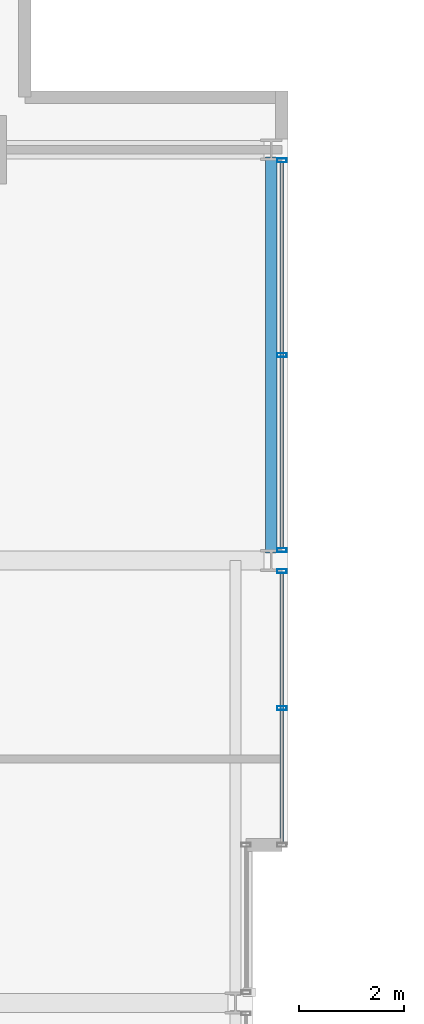
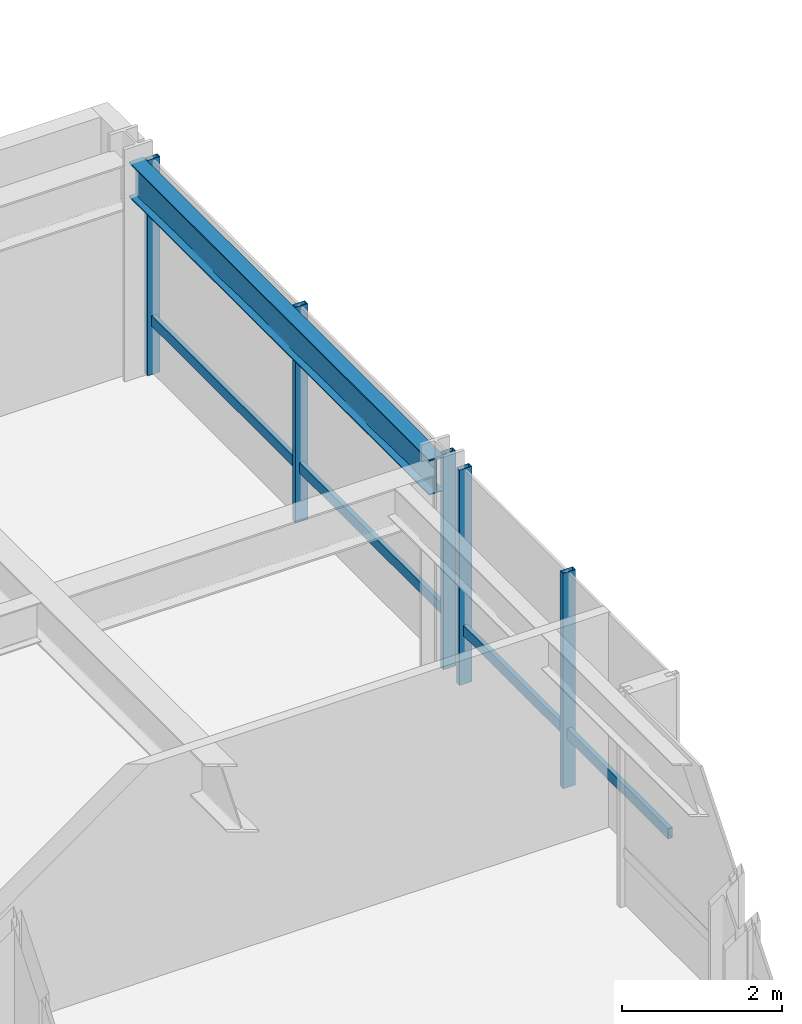
# One storey, part 24 of 33: 7 members, 1 beam, 2 elements without a shape of their own.
"""IFC4 building model written with IfcOpenShell, lengths in metres."""

from ifc_helpers import new_model, si_unit, direction, frame, origin, origin_2d, place, context, subcontext, project, spatial, hollow_rectangle, i_section, extrude, material, layer, layer_set, material_profile, profile_set, type_object, element, aggregate, save


model = new_model("IFC4")

# Units and contexts
model_context = context("Model", 3, precision=1e-05, world=origin(), true_north=direction((0.0, 1.0)))
body_context = subcontext(model_context, "Body", "Model", "MODEL_VIEW")
ifc_project = project(units=[si_unit("LENGTHUNIT", "METRE"), si_unit("AREAUNIT", "SQUARE_METRE"), si_unit("VOLUMEUNIT", "CUBIC_METRE"), si_unit("PLANEANGLEUNIT", "RADIAN"), si_unit("MASSUNIT", "GRAM", prefix="KILO")], contexts=[model_context])

# Site, building, storey
site_placement = place(None, origin())
site = spatial("IfcSite", under=ifc_project, at=site_placement, CompositionType="ELEMENT")
building_placement = place(site_placement, origin())
building = spatial("IfcBuilding", under=site, at=building_placement, Name="Drelvath Grand Hotel", CompositionType="ELEMENT")
storey_placement = place(building_placement, frame((0.0, 0.0, 168.14990234375)))
storey = spatial("IfcBuildingStorey", under=building, at=storey_placement, Name="L43", CompositionType="ELEMENT", Elevation=168.14990234375)

# Curtain wall, member
ifc_material_1 = material(Name="Brushed Pale-Silver Anodised Aluminium Frame", Category="aluminium")
ifc_layer = layer(ifc_material_1, 0.199951171875)
ifc_layer_set = layer_set([ifc_layer], Name="Brushed Pale-Silver Anodised Aluminium Frame")
curtain_wall_type = type_object("IfcCurtainWallType", Name="Stick Curtain Wall CW-04 Brushed Silver Upper-Mid", PredefinedType="NOTDEFINED", material=ifc_layer_set)
curtain_wall_1_placement = place(storey_placement, origin())
curtain_wall_1 = element("IfcCurtainWall", 1, at=curtain_wall_1_placement, inside=storey, type_object=curtain_wall_type, Name="L43 CW-04 Curtain Wall CW04-L43-EN1", PredefinedType="NOTDEFINED")
ifc_material_profile_1 = material_profile(ifc_material_1, hollow_rectangle(XDim=0.06494140625, YDim=0.159912109375, WallThickness=0.00390625, at=origin_2d()), Name="HSS160X65X4")
ifc_profile_set_1 = profile_set([ifc_material_profile_1], Name="Brushed Pale-Silver Anodised Aluminium Frame")
member_type_1 = type_object("IfcMemberType", Name="Curtain Wall Horizontal Transom CW-04 HSS160X65X4", PredefinedType="USERDEFINED", material=ifc_profile_set_1)
member_1_placement = place(storey_placement, frame((22.080078125, 35.159912109375, 0.822509765625), z_axis=(0.0, -1.0, 0.0), x_axis=(1.0, 0.0, 0.0)))
member_1 = element("IfcMember", 2, at=member_1_placement, type_object=member_type_1, Name="CW04-L43-EN1 Sill Transom", ObjectType="TRANSOM", PredefinedType="USERDEFINED", context=body_context, shape_type="SweptSolid", body=[
    extrude(hollow_rectangle(XDim=0.06494140625, YDim=0.159912109375, WallThickness=0.00390625, at=origin_2d()), origin(), (0.0, 0.0, 1.0), 5.119873046875),
])

curtain_wall_2_placement = place(storey_placement, origin())
curtain_wall_2 = element("IfcCurtainWall", 3, at=curtain_wall_2_placement, inside=storey, type_object=curtain_wall_type, Name="L43 CW-04 Curtain Wall CW04-L43-EN2", PredefinedType="NOTDEFINED")
member_2_placement = place(storey_placement, frame((22.080078125, 42.9599609375, 0.822509765625), z_axis=(0.0, -1.0, 0.0), x_axis=(1.0, 0.0, 0.0)))
member_2 = element("IfcMember", 4, at=member_2_placement, type_object=member_type_1, Name="CW04-L43-EN2 Sill Transom", ObjectType="TRANSOM", PredefinedType="USERDEFINED", context=body_context, shape_type="SweptSolid", body=[
    extrude(hollow_rectangle(XDim=0.06494140625, YDim=0.159912109375, WallThickness=0.00390625, at=origin_2d()), origin(), (0.0, 0.0, 1.0), 7.320068359375),
])

# Member
ifc_material_profile_2 = material_profile(ifc_material_1, hollow_rectangle(XDim=0.074951171875, YDim=0.179931640625, WallThickness=0.0048828125, at=origin_2d()), Name="HSS180X75X5")
ifc_profile_set_2 = profile_set([ifc_material_profile_2], Name="Brushed Pale-Silver Anodised Aluminium Frame")
member_type_2 = type_object("IfcMemberType", Name="Curtain Wall Vertical Mullion CW-04 HSS180X75X5", PredefinedType="MULLION", material=ifc_profile_set_2)
member_3_placement = place(storey_placement, frame((22.080078125, 35.199951171875, 0.0), z_axis=(0.0, 0.0, 1.0), x_axis=(0.0, 1.0, 0.0)))
member_3 = element("IfcMember", 5, at=member_3_placement, type_object=member_type_2, Name="CW04-L43-EN1 Mullion 1", PredefinedType="MULLION", context=body_context, shape_type="SweptSolid", body=[
    extrude(hollow_rectangle(XDim=0.074951171875, YDim=0.179931640625, WallThickness=0.0048828125, at=origin_2d()), origin(), (0.0, 0.0, 1.0), 3.2900390625),
])

member_4_placement = place(storey_placement, frame((22.080078125, 32.60009765625, 0.0), z_axis=(0.0, 0.0, 1.0), x_axis=(0.0, 1.0, 0.0)))
member_4 = element("IfcMember", 6, at=member_4_placement, type_object=member_type_2, Name="CW04-L43-EN1 Mullion 2", PredefinedType="MULLION", context=body_context, shape_type="SweptSolid", body=[
    extrude(hollow_rectangle(XDim=0.074951171875, YDim=0.179931640625, WallThickness=0.0048828125, at=origin_2d()), origin(), (0.0, 0.0, 1.0), 3.2900390625),
])

aggregate(curtain_wall_1, [member_3, member_4, member_1])

member_5_placement = place(storey_placement, frame((22.080078125, 43.0, 0.0), z_axis=(0.0, 0.0, 1.0), x_axis=(0.0, 1.0, 0.0)))
member_5 = element("IfcMember", 7, at=member_5_placement, type_object=member_type_2, Name="CW04-L43-EN2 Mullion 1", PredefinedType="MULLION", context=body_context, shape_type="SweptSolid", body=[
    extrude(hollow_rectangle(XDim=0.074951171875, YDim=0.179931640625, WallThickness=0.0048828125, at=origin_2d()), origin(), (0.0, 0.0, 1.0), 3.2900390625),
])

member_6_placement = place(storey_placement, frame((22.080078125, 39.300048828125, 0.0), z_axis=(0.0, 0.0, 1.0), x_axis=(0.0, 1.0, 0.0)))
member_6 = element("IfcMember", 8, at=member_6_placement, type_object=member_type_2, Name="CW04-L43-EN2 Mullion 2", PredefinedType="MULLION", context=body_context, shape_type="SweptSolid", body=[
    extrude(hollow_rectangle(XDim=0.074951171875, YDim=0.179931640625, WallThickness=0.0048828125, at=origin_2d()), origin(), (0.0, 0.0, 1.0), 3.2900390625),
])

member_7_placement = place(storey_placement, frame((22.080078125, 35.60009765625, 0.0), z_axis=(0.0, 0.0, 1.0), x_axis=(0.0, 1.0, 0.0)))
member_7 = element("IfcMember", 9, at=member_7_placement, type_object=member_type_2, Name="CW04-L43-EN2 Mullion 3", PredefinedType="MULLION", context=body_context, shape_type="SweptSolid", body=[
    extrude(hollow_rectangle(XDim=0.074951171875, YDim=0.179931640625, WallThickness=0.0048828125, at=origin_2d()), origin(), (0.0, 0.0, 1.0), 3.2900390625),
])

aggregate(curtain_wall_2, [member_5, member_6, member_7, member_2])

# Beam
ifc_material_2 = material(Name="Steel ASTM A992 Gr 50", Category="steel")
ifc_material_profile_3 = material_profile(ifc_material_2, i_section(OverallWidth=0.210205078125, OverallDepth=0.53662109375, WebThickness=0.010986328125, FlangeThickness=0.017333984375, FilletRadius=0.01806640625, at=origin_2d()), Name="W21X68")
ifc_profile_set_3 = profile_set([ifc_material_profile_3], Name="Steel ASTM A992 Gr 50")
beam_type = type_object("IfcBeamType", Name="Perimeter Spandrel Beam W21X68", PredefinedType="SPANDREL", material=ifc_profile_set_3)
beam_placement = place(storey_placement, frame((21.8798828125, 35.5400390625, 3.021728515625), z_axis=(0.0, 1.0, 0.0), x_axis=(-1.0, 0.0, 0.0)))
element("IfcBeam", 10, at=beam_placement, inside=storey, type_object=beam_type, Name="L43 Spandrel East N", PredefinedType="SPANDREL", context=body_context, shape_type="SweptSolid", body=[
    extrude(i_section(OverallWidth=0.210205078125, OverallDepth=0.53662109375, WebThickness=0.010986328125, FlangeThickness=0.017333984375, FilletRadius=0.01806640625, at=origin_2d()), origin(), (0.0, 0.0, 1.0), 7.52001953125),
])

save(model, "model.ifc")
